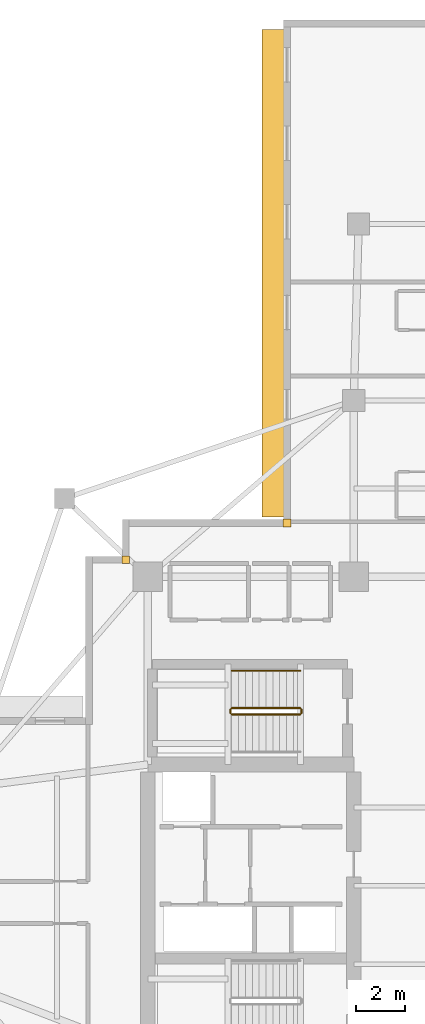
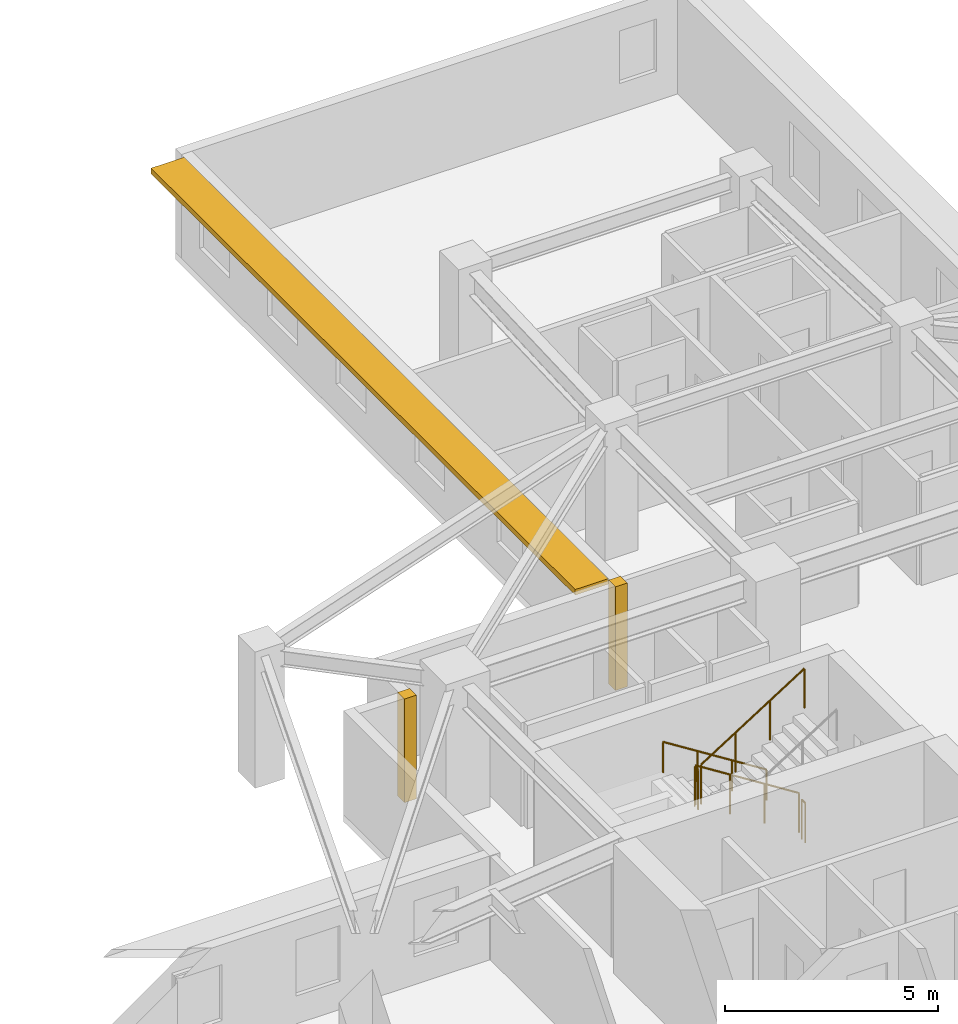
# One storey, part 12 of 13: 5 railings, 2 coverings, 1 shading device.
"""IFC4 building model written with IfcOpenShell, lengths in metres."""

from ifc_helpers import new_model, si_unit, direction, frame, origin, origin_2d, place, context, subcontext, project, spatial, rectangle, circle, extrude, material, layer, layer_set, type_object, element, save


model = new_model("IFC4")

# Units and contexts
model_context = context("Model", 3, precision=1e-05, world=origin(), true_north=direction((0.0, 1.0)))
body_context = subcontext(model_context, "Body", "Model", "MODEL_VIEW")
ifc_project = project(units=[si_unit("LENGTHUNIT", "METRE"), si_unit("AREAUNIT", "SQUARE_METRE"), si_unit("VOLUMEUNIT", "CUBIC_METRE"), si_unit("PLANEANGLEUNIT", "RADIAN"), si_unit("MASSUNIT", "GRAM", prefix="KILO")], contexts=[model_context])

# Site, building, storey
site_placement = place(None, origin())
site = spatial("IfcSite", under=ifc_project, at=site_placement, CompositionType="ELEMENT")
building_placement = place(site_placement, origin())
building = spatial("IfcBuilding", under=site, at=building_placement, Name="Qingluan Cross Belvedere", CompositionType="ELEMENT")
storey_placement = place(building_placement, frame((0.0, 0.0, 183.89990234375)))
storey = spatial("IfcBuildingStorey", under=building, at=storey_placement, Name="L46", CompositionType="ELEMENT", Elevation=183.89990234375)

# Coverings
ifc_material_1 = material(Name="Precast concrete C45", Category="concrete")
ifc_layer_1 = layer(ifc_material_1, 0.1201171875, Name="ConcreteSpandrelCladding_120")
ifc_layer_set_1 = layer_set([ifc_layer_1], Name="Precast concrete C45")
covering_type = type_object("IfcCoveringType", Name="ConcreteSpandrelCladding_120", PredefinedType="CLADDING", material=ifc_layer_set_1)
for number, where, z_axis, x_axis, name in (
    (1, (-13.300048828125, 13.300048828125, 0.0), (0.0, 0.0, 1.0), (1.0, 0.0, 0.0), "Corner closure L46-NW1"),
    (2, (-6.719970703125, 14.800048828125, 0.0), (0.0, 0.0, 1.0), (1.0, 0.0, 0.0), "Corner closure L46-NW2"),
):
    element("IfcCovering", number, at=place(storey_placement, frame(where, z_axis=z_axis, x_axis=x_axis)), inside=storey, type_object=covering_type, Name=name, PredefinedType="CLADDING", context=body_context, shape_type="SweptSolid", body=[
        extrude(rectangle(XDim=0.320068359375, YDim=0.320068359375, at=origin_2d()), origin(), (0.0, 0.0, 1.0), 2.969970703125),
    ])

# Shading device
ifc_material_2 = material(Name="Precast concrete C45", Category="concrete")
ifc_layer_2 = layer(ifc_material_2, 0.159912109375, Name="ConcreteSunshadeBand_900")
ifc_layer_set_2 = layer_set([ifc_layer_2], Name="Precast concrete C45")
shading_device_type = type_object("IfcShadingDeviceType", Name="ConcreteSunshadeBand_900", PredefinedType="USERDEFINED", material=ifc_layer_set_2)
shading_device_placement = place(storey_placement, frame((-7.2900390625, 24.989990234375, 2.7900390625), z_axis=(0.0, 0.0, 1.0), x_axis=(0.0, -1.0, 0.0)))
element("IfcShadingDevice", 3, at=shading_device_placement, inside=storey, type_object=shading_device_type, Name="Concrete SUNSHADE L46-NB", ObjectType="SUNSHADE", PredefinedType="USERDEFINED", context=body_context, shape_type="SweptSolid", body=[
    extrude(rectangle(XDim=19.89990234375, YDim=0.89990234375, at=origin_2d()), origin(), (0.0, 0.0, 1.0), 0.159912109375),
])

# Railings
ifc_material_3 = material(Name="Brushed stainless steel tubular handrail", Category="steel")
railing_type_1 = type_object("IfcRailingType", Name="StairPitchHandrail_900", PredefinedType="HANDRAIL", material=ifc_material_3)
railing_1_placement = place(storey_placement, frame((-6.179931640625, 8.77001953125, 0.177490234375)))
element("IfcRailing", 4, at=railing_1_placement, inside=storey, type_object=railing_type_1, Name="L46 ST3 stair handrail 1", PredefinedType="HANDRAIL", context=body_context, shape_type="SweptSolid", body=[
    extrude(circle(Radius=0.02392578125, at=origin_2d()), frame((0.0, 0.0, 0.8759765625), z_axis=(-0.844908973607, 0.0, 0.534910110503), x_axis=(0.0, -1.0, 0.0)), (0.0, 0.0, 1.0), 3.31396484375),
    extrude(circle(Radius=0.02099609375, at=origin_2d()), origin(), (0.0, 0.0, 1.0), 0.851806640625),
    extrude(circle(Radius=0.02099609375, at=origin_2d()), frame((-0.933349609375, 0.0, 0.5908203125)), (0.0, 0.0, 1.0), 0.851806640625),
    extrude(circle(Radius=0.02099609375, at=origin_2d()), frame((-1.86669921875, 0.0, 1.181884765625)), (0.0, 0.0, 1.0), 0.851806640625),
    extrude(circle(Radius=0.02099609375, at=origin_2d()), frame((-2.800048828125, 0.0, 1.772705078125)), (0.0, 0.0, 1.0), 0.851806640625),
])
ifc_material_4 = material(Name="Painted steel stair well guard", Category="steel")
railing_type_2 = type_object("IfcRailingType", Name="StairWellGuard_1150", PredefinedType="BALUSTRADE", material=ifc_material_4)
railing_2_placement = place(storey_placement, frame((-6.179931640625, 7.25, 0.177490234375)))
element("IfcRailing", 5, at=railing_2_placement, inside=storey, type_object=railing_type_2, Name="L46 ST3 stair guard 1", PredefinedType="BALUSTRADE", context=body_context, shape_type="SweptSolid", body=[
    extrude(circle(Radius=0.02392578125, at=origin_2d()), frame((0.0, 0.0, 1.1259765625), z_axis=(-0.844908973607, 0.0, 0.534910110503), x_axis=(0.0, -1.0, 0.0)), (0.0, 0.0, 1.0), 3.31396484375),
    extrude(circle(Radius=0.02099609375, at=origin_2d()), origin(), (0.0, 0.0, 1.0), 1.101806640625),
    extrude(circle(Radius=0.02099609375, at=origin_2d()), frame((-0.933349609375, 0.0, 0.5908203125)), (0.0, 0.0, 1.0), 1.101806640625),
    extrude(circle(Radius=0.02099609375, at=origin_2d()), frame((-1.86669921875, 0.0, 1.181884765625)), (0.0, 0.0, 1.0), 1.101806640625),
    extrude(circle(Radius=0.02099609375, at=origin_2d()), frame((-2.800048828125, 0.0, 1.772705078125)), (0.0, 0.0, 1.0), 1.101806640625),
])
railing_3_placement = place(storey_placement, frame((-9.030029296875, 7.199951171875, 1.9501953125)))
element("IfcRailing", 6, at=railing_3_placement, inside=storey, type_object=railing_type_2, Name="L46 ST3 stair guard 2", PredefinedType="BALUSTRADE", context=body_context, shape_type="SweptSolid", body=[
    extrude(circle(Radius=0.02392578125, at=origin_2d()), frame((0.0, 0.0, 1.1259765625), z_axis=(0.0, -1.0, 0.0), x_axis=(1.0, 0.0, 0.0)), (0.0, 0.0, 1.0), 0.159912109375),
    extrude(circle(Radius=0.02099609375, at=origin_2d()), origin(), (0.0, 0.0, 1.0), 1.101806640625),
    extrude(circle(Radius=0.02099609375, at=origin_2d()), frame((0.0, -0.159912109375, 0.0)), (0.0, 0.0, 1.0), 1.101806640625),
])
railing_4_placement = place(storey_placement, frame((-8.97998046875, 6.989990234375, 2.12744140625)))
element("IfcRailing", 7, at=railing_4_placement, inside=storey, type_object=railing_type_2, Name="L46 ST3 stair guard 3", PredefinedType="BALUSTRADE", context=body_context, shape_type="SweptSolid", body=[
    extrude(circle(Radius=0.02392578125, at=origin_2d()), frame((0.0, 0.0, 1.1259765625), z_axis=(0.844908973607, 0.0, 0.534910110503), x_axis=(0.0, 1.0, 0.0)), (0.0, 0.0, 1.0), 3.31396484375),
    extrude(circle(Radius=0.02099609375, at=origin_2d()), origin(), (0.0, 0.0, 1.0), 1.101806640625),
    extrude(circle(Radius=0.02099609375, at=origin_2d()), frame((0.933349609375, 0.0, 0.5908203125)), (0.0, 0.0, 1.0), 1.101806640625),
    extrude(circle(Radius=0.02099609375, at=origin_2d()), frame((1.86669921875, 0.0, 1.181884765625)), (0.0, 0.0, 1.0), 1.101806640625),
    extrude(circle(Radius=0.02099609375, at=origin_2d()), frame((2.800048828125, 0.0, 1.772705078125)), (0.0, 0.0, 1.0), 1.101806640625),
])
railing_5_placement = place(storey_placement, frame((-6.1298828125, 7.199951171875, 0.0)))
element("IfcRailing", 8, at=railing_5_placement, inside=storey, type_object=railing_type_2, Name="L46 ST3 stair guard 4", PredefinedType="BALUSTRADE", context=body_context, shape_type="SweptSolid", body=[
    extrude(circle(Radius=0.02392578125, at=origin_2d()), frame((0.0, 0.0, 1.1259765625), z_axis=(0.0, -1.0, 0.0), x_axis=(1.0, 0.0, 0.0)), (0.0, 0.0, 1.0), 0.159912109375),
    extrude(circle(Radius=0.02099609375, at=origin_2d()), origin(), (0.0, 0.0, 1.0), 1.101806640625),
    extrude(circle(Radius=0.02099609375, at=origin_2d()), frame((0.0, -0.159912109375, 0.0)), (0.0, 0.0, 1.0), 1.101806640625),
])

save(model, "model.ifc")
